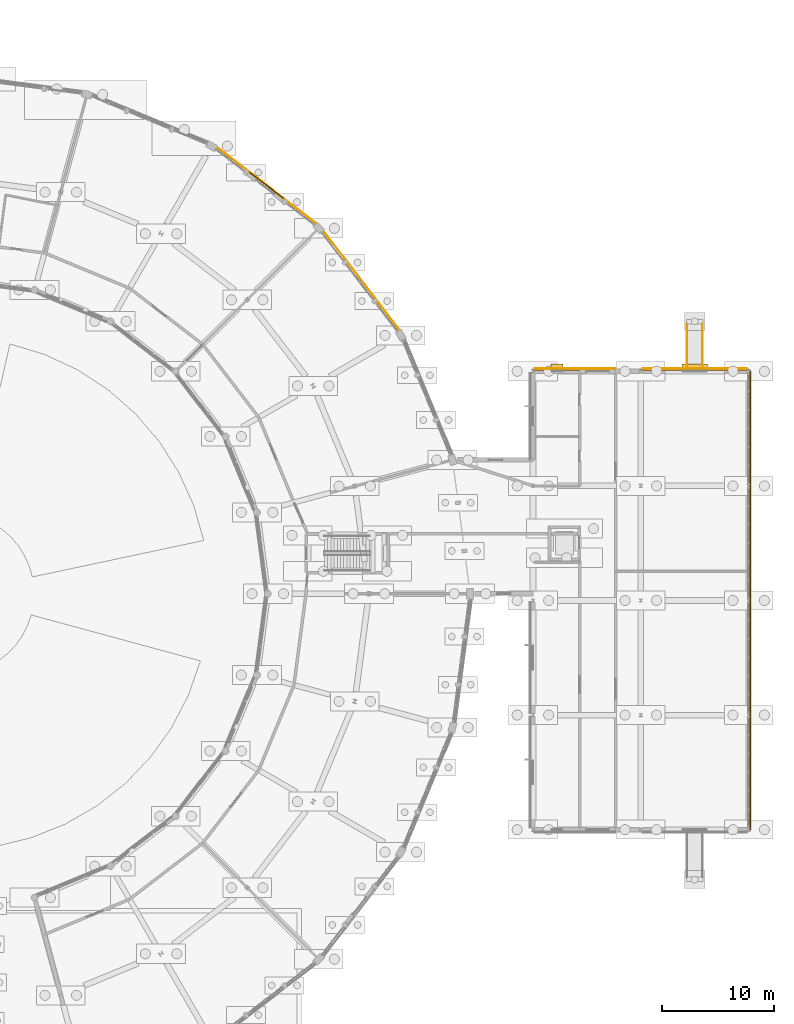
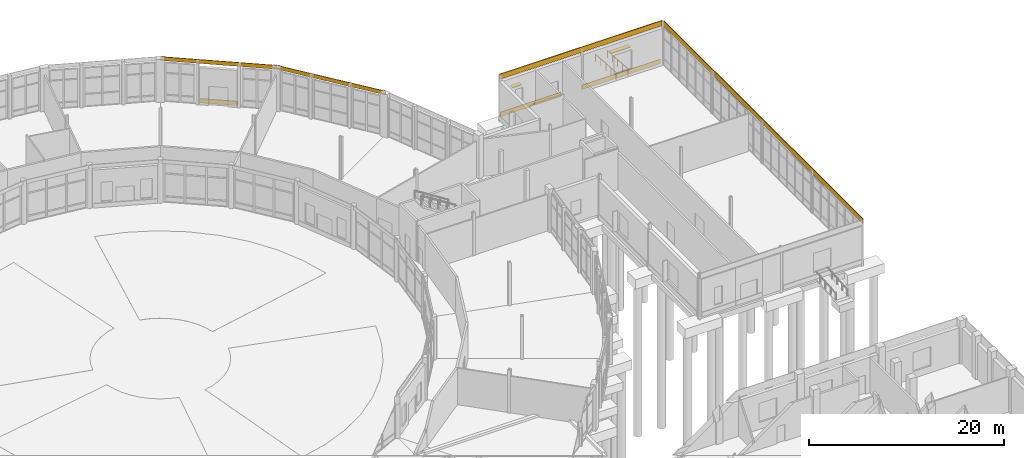
# One storey, part 136 of 137: 8 coverings, 2 railings, 2 shading devices.
"""IFC4 building model written with IfcOpenShell, lengths in metres."""

from ifc_helpers import new_model, si_unit, direction, frame, origin, origin_2d, place, context, subcontext, project, spatial, rectangle, circle, extrude, material, layer, layer_set, type_object, element, save


model = new_model("IFC4")

# Units and contexts
model_context = context("Model", 3, precision=1e-05, world=origin(), true_north=direction((0.0, 1.0)))
body_context = subcontext(model_context, "Body", "Model", "MODEL_VIEW")
ifc_project = project(units=[si_unit("LENGTHUNIT", "METRE"), si_unit("AREAUNIT", "SQUARE_METRE"), si_unit("VOLUMEUNIT", "CUBIC_METRE"), si_unit("PLANEANGLEUNIT", "RADIAN"), si_unit("MASSUNIT", "GRAM", prefix="KILO")], contexts=[model_context])

# Site, building, storey
site_placement = place(None, origin())
site = spatial("IfcSite", under=ifc_project, at=site_placement, CompositionType="ELEMENT")
building_placement = place(site_placement, origin())
building = spatial("IfcBuilding", under=site, at=building_placement, Name="Vondelvale Polytechnic", CompositionType="ELEMENT")
storey_placement = place(building_placement, origin())
storey = spatial("IfcBuildingStorey", under=building, at=storey_placement, Name="L00", CompositionType="ELEMENT", Elevation=0.0)

# Coverings
ifc_material_1 = material(Name="Malmsbury bluestone ashlar stone masonry", Category="masonry")
ifc_layer_1 = layer(ifc_material_1, 0.080078125)
ifc_layer_set_1 = layer_set([ifc_layer_1], Name="COV-BLUESTONE-PLINTH")
covering_type_1 = type_object("IfcCoveringType", Name="COV-BLUESTONE-PLINTH", PredefinedType="CLADDING", material=ifc_layer_set_1)
covering_1_placement = place(storey_placement, frame((129.891845703125, 108.349365234375, 0.0), z_axis=(0.0, 0.0, 1.0), x_axis=(0.793353340291, -0.608761429009, 0.0)))
element("IfcCovering", 1, at=covering_1_placement, inside=storey, type_object=covering_type_1, Name="L00 exterior corbelled masonry relief band", PredefinedType="CLADDING", context=body_context, shape_type="SweptSolid", body=[
    extrude(rectangle(XDim=3.81103515625, YDim=0.080078125, at=origin_2d()), origin(), (0.0, 0.0, 1.0), 0.550048828125),
])
covering_2_placement = place(storey_placement, frame((155.740478515625, 92.035888671875, 0.0), z_axis=(0.0, 0.0, 1.0), x_axis=(1.0, 0.0, 0.0)))
element("IfcCovering", 2, at=covering_2_placement, inside=storey, type_object=covering_type_1, Name="L00 exterior corbelled masonry relief band", PredefinedType="CLADDING", context=body_context, shape_type="SweptSolid", body=[
    extrude(rectangle(XDim=3.958984375, YDim=0.080078125, at=origin_2d()), origin(), (0.0, 0.0, 1.0), 0.550048828125),
])
covering_3_placement = place(storey_placement, frame((159.35009765625, 92.035888671875, 0.0), z_axis=(0.0, 0.0, 1.0), x_axis=(1.0, 0.0, 0.0)))
element("IfcCovering", 3, at=covering_3_placement, inside=storey, type_object=covering_type_1, Name="L00 exterior corbelled masonry relief band", PredefinedType="CLADDING", context=body_context, shape_type="SweptSolid", body=[
    extrude(rectangle(XDim=3.139892578125, YDim=0.080078125, at=origin_2d()), origin(), (0.0, 0.0, 1.0), 0.550048828125),
])
covering_4_placement = place(storey_placement, frame((168.0, 92.035888671875, 0.0), z_axis=(0.0, 0.0, 1.0), x_axis=(1.0, 0.0, 0.0)))
element("IfcCovering", 4, at=covering_4_placement, inside=storey, type_object=covering_type_1, Name="L00 exterior corbelled masonry relief band", PredefinedType="CLADDING", context=body_context, shape_type="SweptSolid", body=[
    extrude(rectangle(XDim=9.278076171875, YDim=0.080078125, at=origin_2d()), origin(), (0.0, 0.0, 1.0), 0.550048828125),
])
ifc_material_2 = material(Name="Amsterdam School iron-spot clinker clay brickwork", Category="masonry")
ifc_layer_2 = layer(ifc_material_2, 0.090087890625)
ifc_layer_set_2 = layer_set([ifc_layer_2], Name="COV-BRICK-RELIEF")
covering_type_2 = type_object("IfcCoveringType", Name="COV-BRICK-RELIEF", PredefinedType="CLADDING", material=ifc_layer_set_2)
covering_5_placement = place(storey_placement, frame((172.93701171875, 71.39990234375, 4.75), z_axis=(0.0, 0.0, 1.0), x_axis=(0.0, 1.0, 0.0)))
element("IfcCovering", 5, at=covering_5_placement, inside=storey, type_object=covering_type_2, Name="L00 exterior masonry spandrel band", PredefinedType="CLADDING", context=body_context, shape_type="SweptSolid", body=[
    extrude(rectangle(XDim=40.800048828125, YDim=0.090087890625, at=origin_2d()), origin(), (0.0, 0.0, 1.0), 0.64990234375),
])
covering_6_placement = place(storey_placement, frame((163.199951171875, 91.93701171875, 4.75), z_axis=(0.0, 0.0, 1.0), x_axis=(1.0, 0.0, 0.0)))
element("IfcCovering", 6, at=covering_6_placement, inside=storey, type_object=covering_type_2, Name="L00 exterior masonry spandrel band", PredefinedType="CLADDING", context=body_context, shape_type="SweptSolid", body=[
    extrude(rectangle(XDim=19.199951171875, YDim=0.090087890625, at=origin_2d()), origin(), (0.0, 0.0, 1.0), 0.64990234375),
])
ifc_material_3 = material(Name="Engineered Tasmanian oak studio and bridge joinery")
ifc_layer_3 = layer(ifc_material_3, 0.06494140625)
ifc_layer_set_3 = layer_set([ifc_layer_3], Name="COV-OAK-SPANDREL")
covering_type_3 = type_object("IfcCoveringType", Name="COV-OAK-SPANDREL", PredefinedType="CLADDING", material=ifc_layer_set_3)
for number, where, z_axis, x_axis, name in (
    (7, (138.34912109375, 99.8916015625, 4.919921875), (0.0, 0.0, 1.0), (-0.608761429009, 0.793353340291, 0.0), "L00 exterior masonry spandrel band"),
    (8, (129.8916015625, 108.34912109375, 4.919921875), (0.0, 0.0, 1.0), (-0.793353340291, 0.608761429009, 0.0), "L00 exterior masonry spandrel band"),
):
    element("IfcCovering", number, at=place(storey_placement, frame(where, z_axis=z_axis, x_axis=x_axis)), inside=storey, type_object=covering_type_3, Name=name, PredefinedType="CLADDING", context=body_context, shape_type="SweptSolid", body=[
        extrude(rectangle(XDim=12.00830078125, YDim=0.06494140625, at=origin_2d()), origin(), (0.0, 0.0, 1.0), 0.47998046875),
    ])

# Railings
ifc_material_4 = material(Name="Brushed architectural stainless and zinc-coated metal")
ifc_layer_4 = layer(ifc_material_4, 0.048095703125)
ifc_layer_set_4 = layer_set([ifc_layer_4], Name="RL-STAIR-HANDRAIL")
railing_type = type_object("IfcRailingType", Name="RL-STAIR-HANDRAIL", PredefinedType="HANDRAIL", material=ifc_layer_set_4)
for number, where, name in (
    (9, (167.31005859375, 96.0, -0.280029296875), "Ramp handrail RMP-06-1"),
    (10, (168.68994140625, 96.0, -0.280029296875), "Ramp handrail RMP-06-2"),
):
    element("IfcRailing", number, at=place(storey_placement, frame(where)), inside=storey, type_object=railing_type, Name=name, PredefinedType="HANDRAIL", context=body_context, shape_type="SweptSolid", body=[
        extrude(circle(Radius=0.02392578125, at=origin_2d()), frame((0.0, 0.0, 0.8759765625), z_axis=(0.0, -0.997784644547, 0.066526709719), x_axis=(1.0, 0.0, 0.0)), (0.0, 0.0, 1.0), 4.209228515625),
        extrude(circle(Radius=0.02099609375, at=origin_2d()), origin(), (0.0, 0.0, 1.0), 0.851806640625),
        extrude(circle(Radius=0.02099609375, at=origin_2d()), frame((0.0, -1.050048828125, 0.070068359375)), (0.0, 0.0, 1.0), 0.851806640625),
        extrude(circle(Radius=0.02099609375, at=origin_2d()), frame((0.0, -2.10009765625, 0.14013671875)), (0.0, 0.0, 1.0), 0.851806640625),
        extrude(circle(Radius=0.02099609375, at=origin_2d()), frame((0.0, -3.14990234375, 0.2099609375)), (0.0, 0.0, 1.0), 0.851806640625),
        extrude(circle(Radius=0.02099609375, at=origin_2d()), frame((0.0, -4.199951171875, 0.280029296875)), (0.0, 0.0, 1.0), 0.851806640625),
    ])

# Shading devices
ifc_material_5 = material(Name="Anodised extruded aluminium 6063-T6", Category="aluminium")
shading_device_type = type_object("IfcShadingDeviceType", Name="SHD-BRONZE-LOUVRE", PredefinedType="SHUTTER", material=ifc_material_5)
shading_device_1_placement = place(storey_placement, frame((155.740478515625, 92.22509765625, 3.0576171875), z_axis=(0.0, 0.0, 1.0), x_axis=(1.0, 0.0, 0.0)))
element("IfcShadingDevice", 11, at=shading_device_1_placement, inside=storey, type_object=shading_device_type, Name="L00 horizontal bronze sun-louvre overhang", PredefinedType="SHUTTER", context=body_context, shape_type="SweptSolid", body=[
    extrude(rectangle(XDim=1.06005859375, YDim=0.47998046875, at=origin_2d()), origin(), (0.0, 0.0, 1.0), 0.0849609375),
])
shading_device_2_placement = place(storey_placement, frame((168.0, 92.22509765625, 3.257568359375), z_axis=(0.0, 0.0, 1.0), x_axis=(1.0, 0.0, 0.0)))
element("IfcShadingDevice", 12, at=shading_device_2_placement, inside=storey, type_object=shading_device_type, Name="L00 horizontal bronze sun-louvre overhang", PredefinedType="SHUTTER", context=body_context, shape_type="SweptSolid", body=[
    extrude(rectangle(XDim=2.260009765625, YDim=0.47998046875, at=origin_2d()), origin(), (0.0, 0.0, 1.0), 0.0849609375),
])

save(model, "model.ifc")
